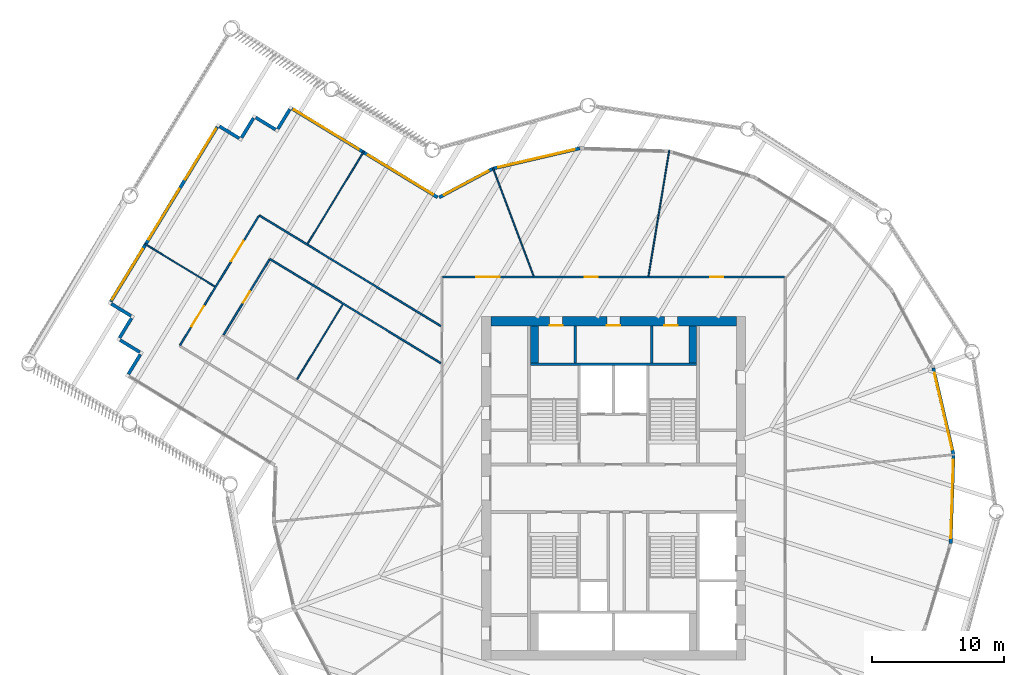
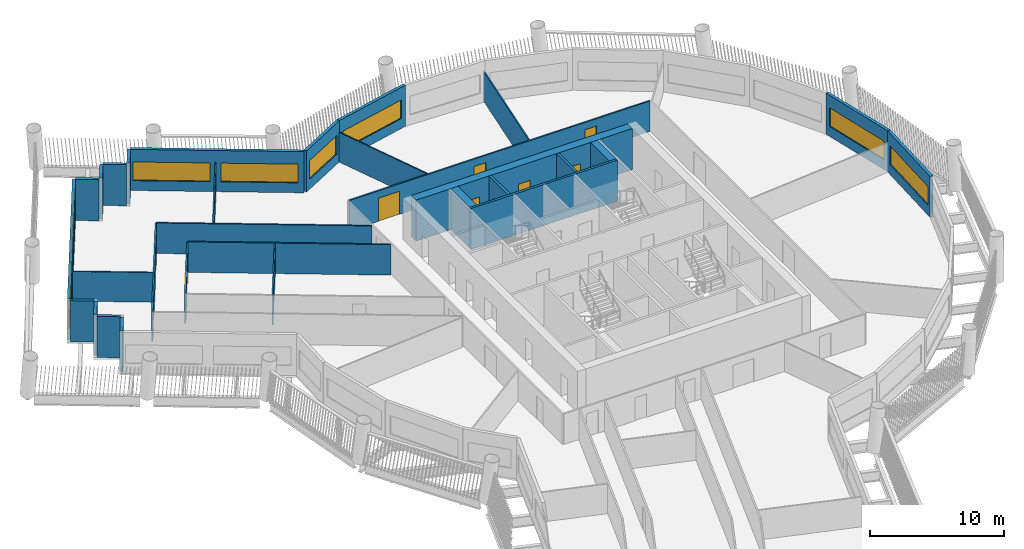
# One storey, part 6 of 15: 30 walls, 9 doors, 9 windows, 18 openings.
"""IFC4 building model written with IfcOpenShell, lengths in metres."""

import ifcopenshell
import ifcopenshell.guid

model = None  # the IFC model being written
_history = None  # IfcOwnerHistory: only IFC2X3 demands one
_inside = {}  # id of a spatial element -> (the spatial element, [elements in it])
_under = {}  # id of a project, library or spatial element -> (it, [spatial elements below it])
_declared = {}  # id of a project -> (the project, [libraries it declares])
_typed = {}  # id of a type object -> (the type object, [elements of that type])
_made_of = {}  # id of a material, layer set ... -> (it, [elements and type objects made of it])


def new_model(schema):
    """Start an empty IFC model of exactly this schema.

    Asked for "IFC4X3", IfcOpenShell would pick the latest addendum, in which some entities
    have other attributes; the version numbers below select the first issue.
    IFC2X3 requires an IfcOwnerHistory on every rooted entity: one is made here for all.
    """
    global model, _history
    if schema == "IFC4X3":
        model = ifcopenshell.file(schema_version=(4, 3, 0, 0))
    else:
        model = ifcopenshell.file(schema=schema)
    _inside.clear()
    _under.clear()
    _declared.clear()
    _typed.clear()
    _made_of.clear()
    _history = None
    if model.schema == "IFC2X3":
        org = make("IfcOrganization", Name="unknown")
        user = make(
            "IfcPersonAndOrganization",
            ThePerson=make("IfcPerson", FamilyName="unknown"),
            TheOrganization=org,
        )
        app = make(
            "IfcApplication",
            ApplicationDeveloper=org,
            Version="unknown",
            ApplicationFullName="unknown",
            ApplicationIdentifier="unknown",
        )
        _history = make(
            "IfcOwnerHistory",
            OwningUser=user,
            OwningApplication=app,
            ChangeAction="ADDED",
            CreationDate=0,
        )
    return model


def make(cls, **values):
    """One entity of the class cls with the attributes given. An attribute that is None is left unset."""
    return model.create_entity(
        cls, **{name: value for name, value in values.items() if value is not None}
    )


def rooted(cls, **values):
    """An entity with a GlobalId (a new one), such as an element, a storey or a relation."""
    return make(cls, GlobalId=ifcopenshell.guid.new(), OwnerHistory=_history, **values)


def si_unit(unit_type, name, prefix=None):
    """IfcSIUnit, for example si_unit("LENGTHUNIT", "METRE", prefix="MILLI")."""
    return make("IfcSIUnit", UnitType=unit_type, Prefix=prefix, Name=name)


def assignment(units):
    """IfcUnitAssignment: the units of a project."""
    return None if units is None else make("IfcUnitAssignment", Units=units)


def point(xyz):
    """IfcCartesianPoint."""
    return None if xyz is None else make("IfcCartesianPoint", Coordinates=xyz)


def direction(xyz):
    """IfcDirection."""
    return None if xyz is None else make("IfcDirection", DirectionRatios=xyz)


def frame(location, z_axis=None, x_axis=None):
    """IfcAxis2Placement3D, a coordinate frame: its origin and axes. An axis left out is left unset."""
    return make(
        "IfcAxis2Placement3D",
        Location=point(location),
        Axis=direction(z_axis),
        RefDirection=direction(x_axis),
    )


def frame_2d(location, x_axis=None):
    """IfcAxis2Placement2D, a coordinate frame in the plane: its origin and x axis."""
    return make(
        "IfcAxis2Placement2D", Location=point(location), RefDirection=direction(x_axis)
    )


def origin():
    """The frame at (0, 0, 0) with its axes left unset."""
    return frame((0.0, 0.0, 0.0))


def place(relative_to, where):
    """IfcLocalPlacement: puts the frame where relative to a parent placement (None: the world)."""
    return make(
        "IfcLocalPlacement", PlacementRelTo=relative_to, RelativePlacement=where
    )


def context(
    kind, dimensions, precision=None, world=None, true_north=None, identifier=None
):
    """IfcGeometricRepresentationContext, for example the 3D "Model" context."""
    return make(
        "IfcGeometricRepresentationContext",
        ContextIdentifier=identifier,
        ContextType=kind,
        CoordinateSpaceDimension=dimensions,
        Precision=precision,
        WorldCoordinateSystem=world,
        TrueNorth=true_north,
    )


def subcontext(parent, identifier, kind, view, scale=None):
    """IfcGeometricRepresentationSubContext, for example "Body" below "Model"."""
    return make(
        "IfcGeometricRepresentationSubContext",
        ContextIdentifier=identifier,
        ContextType=kind,
        ParentContext=parent,
        TargetScale=scale,
        TargetView=view,
    )


def project(units=None, contexts=None):
    """IfcProject with its units and contexts."""
    return rooted(
        "IfcProject",
        Name="project",
        RepresentationContexts=contexts,
        UnitsInContext=assignment(units),
    )


def spatial(cls, under=None, at=None, **own):
    """A site, building, storey or space (cls), placed at a placement, below another one or the project."""
    s = rooted(cls, ObjectPlacement=at, **own)
    if under is not None:
        _under.setdefault(under.id(), (under, []))[1].append(s)
    return s


def profile(cls, at=None, kind="AREA", **sizes):
    """A parametric profile (cls). Its sizes go by their IFC names, for example OverallWidth=200.0."""
    return make(cls, ProfileType=kind, Position=at, **sizes)


def rectangle(**sizes):
    """IfcRectangleProfileDef."""
    return profile("IfcRectangleProfileDef", **sizes)


def extrude(swept, where, along, depth):
    """IfcExtrudedAreaSolid: the profile swept, set in the frame where, extruded along a direction by depth."""
    return make(
        "IfcExtrudedAreaSolid",
        SweptArea=swept,
        Position=where,
        ExtrudedDirection=direction(along),
        Depth=depth,
    )


def shape(context_of_items, identifier, shape_type, items):
    """IfcShapeRepresentation: the items that make up one representation, for example the "Body"."""
    return make(
        "IfcShapeRepresentation",
        ContextOfItems=context_of_items,
        RepresentationIdentifier=identifier,
        RepresentationType=shape_type,
        Items=items,
    )


def material(Name=None, Category=None):
    """IfcMaterial."""
    return make("IfcMaterial", Name=Name, Category=Category)


def layer(
    of_material, thickness, ventilated=None, Name=None, Category=None, Priority=None
):
    """IfcMaterialLayer: one layer of a wall or slab, of a material (None: an air gap)."""
    return make(
        "IfcMaterialLayer",
        Material=of_material,
        LayerThickness=thickness,
        IsVentilated=ventilated,
        Name=Name,
        Category=Category,
        Priority=Priority,
    )


def layer_set(layers, Name=None):
    """IfcMaterialLayerSet."""
    return make("IfcMaterialLayerSet", MaterialLayers=layers, LayerSetName=Name)


def made_of(thing, what):
    """Note that an element or type object is made of a material, layer set ...; save() writes the relation."""
    if what is not None:
        _made_of.setdefault(what.id(), (what, []))[1].append(thing)
    return thing


def type_object(cls, material=None, **own):
    """A type object (cls), such as IfcWallType, which elements share."""
    return made_of(rooted(cls, **own), material)


def element(
    cls,
    number,
    at=None,
    inside=None,
    cuts=None,
    type_object=None,
    material=None,
    context=None,
    identifier="Body",
    shape_type=None,
    held_by="IfcProductDefinitionShape",
    body=None,
    shapes=None,
    **own,
):
    """One element of the class cls, such as IfcWall. Its Tag is "e" and its number.

    at: its placement. inside: the storey or other place that contains it. cuts: it is an
    opening in that element (IfcRelVoidsElement). A single representation is given by context,
    identifier, shape_type and body (its items); several are given by shapes. held_by: the class
    of the entity that holds the representations. save() writes the other relations.
    """
    e = rooted(cls, Tag="e%d" % number, ObjectPlacement=at, **own)
    if body is not None:
        shapes = [shape(context, identifier, shape_type, body)]
    if shapes is not None:
        e.Representation = make(held_by, Representations=shapes)
    if inside is not None:
        _inside.setdefault(inside.id(), (inside, []))[1].append(e)
    if cuts is not None:
        rooted(
            "IfcRelVoidsElement", RelatingBuildingElement=cuts, RelatedOpeningElement=e
        )
    if type_object is not None:
        _typed.setdefault(type_object.id(), (type_object, []))[1].append(e)
    return made_of(e, material)


def fill(opening, filler):
    """IfcRelFillsElement: the door or window that sits in an opening."""
    return rooted(
        "IfcRelFillsElement",
        RelatingOpeningElement=opening,
        RelatedBuildingElement=filler,
    )


def aggregate(whole, parts):
    """IfcRelAggregates: a whole, such as a stair, and the parts it consists of."""
    return rooted("IfcRelAggregates", RelatingObject=whole, RelatedObjects=parts)


def save(model, path):
    """Write the relations noted so far, then the file.

    IfcRelAggregates (storeys below a building ...), IfcRelContainedInSpatialStructure (elements
    in a storey), IfcRelDefinesByType, IfcRelAssociatesMaterial and IfcRelDeclares: one each for
    every whole, place, type object, material and project.
    """
    for whole, parts in _under.values():
        aggregate(whole, parts)
    for where, things in _inside.values():
        rooted(
            "IfcRelContainedInSpatialStructure",
            RelatedElements=things,
            RelatingStructure=where,
        )
    for kind, things in _typed.values():
        rooted("IfcRelDefinesByType", RelatedObjects=things, RelatingType=kind)
    for what, things in _made_of.values():
        rooted("IfcRelAssociatesMaterial", RelatedObjects=things, RelatingMaterial=what)
    for by, libraries in _declared.values():
        rooted("IfcRelDeclares", RelatingContext=by, RelatedDefinitions=libraries)
    model.write(path)


model = new_model("IFC4")

# Units and contexts
model_context = context("Model", 3, precision=1e-05, world=origin(), true_north=direction((0.0, 1.0)))
body_context = subcontext(model_context, "Body", "Model", "MODEL_VIEW")
ifc_project = project(units=[si_unit("LENGTHUNIT", "METRE"), si_unit("AREAUNIT", "SQUARE_METRE"), si_unit("VOLUMEUNIT", "CUBIC_METRE"), si_unit("PLANEANGLEUNIT", "RADIAN"), si_unit("MASSUNIT", "GRAM", prefix="KILO")], contexts=[model_context])

# Site, building, storey
site_placement = place(None, origin())
site = spatial("IfcSite", under=ifc_project, at=site_placement, CompositionType="ELEMENT")
building_placement = place(site_placement, origin())
building = spatial("IfcBuilding", under=site, at=building_placement, Name="Tarsis Ring Headquarters", CompositionType="ELEMENT")
storey_placement = place(building_placement, frame((0.0, 0.0, 151.5)))
storey = spatial("IfcBuildingStorey", under=building, at=storey_placement, Name="L34", CompositionType="ELEMENT", Elevation=151.5)

# Walls
ifc_material_1 = material(Name="Blockwork", Category="masonry")
ifc_layer_1 = layer(ifc_material_1, 0.199951171875)
ifc_layer_set_1 = layer_set([ifc_layer_1], Name="Core blockwork wall 200")
wall_type_1 = type_object("IfcWallType", Name="Core blockwork wall 200", PredefinedType="PARTITIONING", material=ifc_layer_set_1)
for number, where, z_axis, x_axis, name in (
    (1, (-2.89990234375, 9.5, 0.0), (0.0, 0.0, 1.0), (0.0, 1.0, 0.0), "Core partition ND1"),
    (2, (2.89990234375, 9.5, 0.0), (0.0, 0.0, 1.0), (0.0, 1.0, 0.0), "Core partition ND3"),
):
    element("IfcWall", number, at=place(storey_placement, frame(where, z_axis=z_axis, x_axis=x_axis)), inside=storey, type_object=wall_type_1, Name=name, PredefinedType="PARTITIONING", context=body_context, shape_type="SweptSolid", body=[
        extrude(rectangle(XDim=2.800048828125, YDim=0.199951171875, at=frame_2d((1.39990234375, 0.0))), origin(), (0.0, 0.0, 1.0), 3.739990234375),
    ])

# Wall, openings, doors
ifc_material_2 = material(Name="Concrete C60/75", Category="concrete")
ifc_layer_2 = layer(ifc_material_2, 0.699951171875)
ifc_layer_set_2 = layer_set([ifc_layer_2], Name="Core wall 700 C60/75")
wall_type_2 = type_object("IfcWallType", Name="Core wall 700 C60/75", PredefinedType="SHEAR", material=ifc_layer_set_2)
wall_1_placement = place(storey_placement, frame((-9.300048828125, 12.64990234375, 0.0), z_axis=(0.0, 0.0, 1.0), x_axis=(1.0, 0.0, 0.0)))
wall_1 = element("IfcWall", 3, at=wall_1_placement, inside=storey, type_object=wall_type_2, Name="Core wall ON", PredefinedType="SHEAR", context=body_context, shape_type="SweptSolid", body=[
    extrude(rectangle(XDim=18.60009765625, YDim=0.699951171875, at=frame_2d((9.300048828125, 0.0))), origin(), (0.0, 0.0, 1.0), 3.739990234375),
])
opening_1_placement = place(wall_1_placement, frame((4.449951171875, 0.0, 0.0)))
opening_1 = element("IfcOpeningElement", 4, at=opening_1_placement, cuts=wall_1, Name="Opening L34-C14", PredefinedType="OPENING", context=body_context, shape_type="SweptSolid", body=[
    extrude(rectangle(XDim=1.0, YDim=2.10009765625, at=frame_2d((0.5, 1.050048828125))), frame((0.0, 0.35986328125, 0.0), z_axis=(0.0, -1.0, 0.0), x_axis=(1.0, 0.0, 0.0)), (0.0, 0.0, 1.0), 0.719970703125),
])
opening_2_placement = place(wall_1_placement, frame((8.800048828125, 0.0, 0.0)))
opening_2 = element("IfcOpeningElement", 5, at=opening_2_placement, cuts=wall_1, Name="Opening L34-C15", PredefinedType="OPENING", context=body_context, shape_type="SweptSolid", body=[
    extrude(rectangle(XDim=1.0, YDim=2.10009765625, at=frame_2d((0.5, 1.050048828125))), frame((0.0, 0.35986328125, 0.0), z_axis=(0.0, -1.0, 0.0), x_axis=(1.0, 0.0, 0.0)), (0.0, 0.0, 1.0), 0.719970703125),
])
opening_3_placement = place(wall_1_placement, frame((13.14990234375, 0.0, 0.0)))
opening_3 = element("IfcOpeningElement", 6, at=opening_3_placement, cuts=wall_1, Name="Opening L34-C16", PredefinedType="OPENING", context=body_context, shape_type="SweptSolid", body=[
    extrude(rectangle(XDim=1.0, YDim=2.10009765625, at=frame_2d((0.5, 1.050048828125))), frame((0.0, 0.35986328125, 0.0), z_axis=(0.0, -1.0, 0.0), x_axis=(1.0, 0.0, 0.0)), (0.0, 0.0, 1.0), 0.719970703125),
])
ifc_material_3 = material(Name="Steel S355", Category="steel")
door_type_1 = type_object("IfcDoorType", Name="Core room door 1000x2100", OperationType="SINGLE_SWING_LEFT", PredefinedType="DOOR", material=ifc_material_3)
door_1_placement = place(opening_1_placement, origin())
door_1 = element("IfcDoor", 7, at=door_1_placement, inside=storey, type_object=door_type_1, Name="Core room door L34", OperationType="SINGLE_SWING_LEFT", OverallHeight=2.10009765625, OverallWidth=1.0, PredefinedType="DOOR", context=body_context, shape_type="SweptSolid", body=[
    extrude(rectangle(XDim=1.0, YDim=2.10009765625, at=frame_2d((0.5, 1.050048828125))), frame((0.0, -0.2998046875, 0.0), z_axis=(0.0, -1.0, 0.0), x_axis=(1.0, 0.0, 0.0)), (0.0, 0.0, 1.0), 0.050048828125),
])
fill(opening_1, door_1)
door_2_placement = place(opening_2_placement, origin())
door_2 = element("IfcDoor", 8, at=door_2_placement, inside=storey, type_object=door_type_1, Name="Core room door L34", OperationType="SINGLE_SWING_LEFT", OverallHeight=2.10009765625, OverallWidth=1.0, PredefinedType="DOOR", context=body_context, shape_type="SweptSolid", body=[
    extrude(rectangle(XDim=1.0, YDim=2.10009765625, at=frame_2d((0.5, 1.050048828125))), frame((0.0, -0.2998046875, 0.0), z_axis=(0.0, -1.0, 0.0), x_axis=(1.0, 0.0, 0.0)), (0.0, 0.0, 1.0), 0.050048828125),
])
fill(opening_2, door_2)
door_3_placement = place(opening_3_placement, origin())
door_3 = element("IfcDoor", 9, at=door_3_placement, inside=storey, type_object=door_type_1, Name="Core room door L34", OperationType="SINGLE_SWING_LEFT", OverallHeight=2.10009765625, OverallWidth=1.0, PredefinedType="DOOR", context=body_context, shape_type="SweptSolid", body=[
    extrude(rectangle(XDim=1.0, YDim=2.10009765625, at=frame_2d((0.5, 1.050048828125))), frame((0.0, -0.2998046875, 0.0), z_axis=(0.0, -1.0, 0.0), x_axis=(1.0, 0.0, 0.0)), (0.0, 0.0, 1.0), 0.050048828125),
])
fill(opening_3, door_3)

# Walls
ifc_material_4 = material(Name="Gypsum board on steel studs", Category="steel")
ifc_layer_3 = layer(ifc_material_4, 0.10009765625)
ifc_layer_set_3 = layer_set([ifc_layer_3], Name="FL partition 100 unrated")
wall_type_3 = type_object("IfcWallType", Name="FL partition 100 unrated", PredefinedType="PARTITIONING", material=ifc_layer_set_3)
wall_2_placement = place(storey_placement, frame((2.648681640625, 16.069091796875, 0.0), z_axis=(0.0, 0.0, 1.0), x_axis=(0.162653156497, 0.986683308201, 0.0)))
element("IfcWall", 10, at=wall_2_placement, inside=storey, type_object=wall_type_3, Name="Partition PW3", PredefinedType="PARTITIONING", context=body_context, shape_type="SweptSolid", body=[
    extrude(rectangle(XDim=9.661865234375, YDim=0.10009765625, at=frame_2d((4.8310546875, 0.0))), origin(), (0.0, 0.0, 1.0), 2.699951171875),
])
wall_3_placement = place(storey_placement, frame((-9.146484375, 24.2822265625, 0.0), z_axis=(0.0, 0.0, 1.0), x_axis=(0.352505014532, -0.935809924466, 0.0)))
element("IfcWall", 11, at=wall_3_placement, inside=storey, type_object=wall_type_3, Name="Partition PW3", PredefinedType="PARTITIONING", context=body_context, shape_type="SweptSolid", body=[
    extrude(rectangle(XDim=8.770263671875, YDim=0.10009765625, at=frame_2d((4.38525390625, 0.0))), origin(), (0.0, 0.0, 1.0), 2.699951171875),
])
wall_4_placement = place(storey_placement, frame((-23.170654296875, 18.5126953125, 0.0), z_axis=(0.0, 0.0, 1.0), x_axis=(0.520403077946, 0.853920743667, 0.0)))
element("IfcWall", 12, at=wall_4_placement, inside=storey, type_object=wall_type_3, Name="Partition PW3", PredefinedType="PARTITIONING", context=body_context, shape_type="SweptSolid", body=[
    extrude(rectangle(XDim=8.199951171875, YDim=0.10009765625, at=frame_2d((4.10009765625, 0.0))), origin(), (0.0, 0.0, 1.0), 2.699951171875),
])
wall_5_placement = place(storey_placement, frame((-23.96875, 8.248779296875, 0.0), z_axis=(0.0, 0.0, 1.0), x_axis=(0.520420444444, 0.853910159797, 0.0)))
element("IfcWall", 13, at=wall_5_placement, inside=storey, type_object=wall_type_3, Name="Partition PW3", PredefinedType="PARTITIONING", context=body_context, shape_type="SweptSolid", body=[
    extrude(rectangle(XDim=6.639892578125, YDim=0.10009765625, at=frame_2d((3.31982421875, 0.0))), origin(), (0.0, 0.0, 1.0), 2.699951171875),
])
wall_6_placement = place(storey_placement, frame((-35.50341796875, 18.510498046875, 0.0), z_axis=(0.0, 0.0, 1.0), x_axis=(0.853916773861, -0.520409591878, 0.0)))
element("IfcWall", 14, at=wall_6_placement, inside=storey, type_object=wall_type_3, Name="Partition PW3", PredefinedType="PARTITIONING", context=body_context, shape_type="SweptSolid", body=[
    extrude(rectangle(XDim=6.2099609375, YDim=0.10009765625, at=frame_2d((3.10498046875, 0.0))), origin(), (0.0, 0.0, 1.0), 2.699951171875),
])

# Wall, openings, doors
ifc_layer_4 = layer(ifc_material_4, 0.125)
ifc_layer_set_4 = layer_set([ifc_layer_4], Name="FL partition 125 EI 60 H2770")
wall_type_4 = type_object("IfcWallType", Name="FL partition 125 EI 60 H2770", PredefinedType="PARTITIONING", material=ifc_layer_set_4)
wall_7_placement = place(storey_placement, frame((-12.93994140625, 16.0, 0.0), z_axis=(0.0, 0.0, 1.0), x_axis=(1.0, 0.0, 0.0)))
wall_7 = element("IfcWall", 15, at=wall_7_placement, inside=storey, type_object=wall_type_4, Name="Partition PW1", PredefinedType="PARTITIONING", context=body_context, shape_type="SweptSolid", body=[
    extrude(rectangle(XDim=25.8798828125, YDim=0.125, at=frame_2d((12.93994140625, 0.0))), origin(), (0.0, 0.0, 1.0), 2.77001953125),
])
opening_4_placement = place(wall_7_placement, frame((2.526611328125, 0.0, 0.0)))
opening_4 = element("IfcOpeningElement", 16, at=opening_4_placement, cuts=wall_7, Name="Opening D34.03", PredefinedType="OPENING", context=body_context, shape_type="SweptSolid", body=[
    extrude(rectangle(XDim=1.800048828125, YDim=2.10009765625, at=frame_2d((0.89990234375, 1.050048828125))), frame((0.0, 0.072509765625, 0.0), z_axis=(0.0, -1.0, 0.0), x_axis=(1.0, 0.0, 0.0)), (0.0, 0.0, 1.0), 0.14501953125),
])
opening_5_placement = place(wall_7_placement, frame((10.745361328125, 0.0, 0.0)))
opening_5 = element("IfcOpeningElement", 17, at=opening_5_placement, cuts=wall_7, Name="Opening D34.04", PredefinedType="OPENING", context=body_context, shape_type="SweptSolid", body=[
    extrude(rectangle(XDim=1.0, YDim=2.10009765625, at=frame_2d((0.5, 1.050048828125))), frame((0.0, 0.072509765625, 0.0), z_axis=(0.0, -1.0, 0.0), x_axis=(1.0, 0.0, 0.0)), (0.0, 0.0, 1.0), 0.14501953125),
])
opening_6_placement = place(wall_7_placement, frame((20.2587890625, 0.0, 0.0)))
opening_6 = element("IfcOpeningElement", 18, at=opening_6_placement, cuts=wall_7, Name="Opening D34.05", PredefinedType="OPENING", context=body_context, shape_type="SweptSolid", body=[
    extrude(rectangle(XDim=1.0, YDim=2.10009765625, at=frame_2d((0.5, 1.050048828125))), frame((0.0, 0.072509765625, 0.0), z_axis=(0.0, -1.0, 0.0), x_axis=(1.0, 0.0, 0.0)), (0.0, 0.0, 1.0), 0.14501953125),
])
ifc_material_5 = material(Name="Fire-rated timber door leaf in steel frame", Category="steel")
door_type_2 = type_object("IfcDoorType", Name="FL door FD60-1000", OperationType="NOTDEFINED", PredefinedType="DOOR", material=ifc_material_5)
door_4_placement = place(opening_5_placement, origin())
door_4 = element("IfcDoor", 19, at=door_4_placement, inside=storey, type_object=door_type_2, Name="Door D34.04", OperationType="SINGLE_SWING_RIGHT", OverallHeight=2.10009765625, OverallWidth=1.0, PredefinedType="DOOR", context=body_context, shape_type="SweptSolid", body=[
    extrude(rectangle(XDim=1.0, YDim=2.10009765625, at=frame_2d((0.5, 1.050048828125))), frame((0.0, 0.02490234375, 0.0), z_axis=(0.0, -1.0, 0.0), x_axis=(1.0, 0.0, 0.0)), (0.0, 0.0, 1.0), 0.050048828125),
])
fill(opening_5, door_4)
door_5_placement = place(opening_6_placement, origin())
door_5 = element("IfcDoor", 20, at=door_5_placement, inside=storey, type_object=door_type_2, Name="Door D34.05", OperationType="SINGLE_SWING_LEFT", OverallHeight=2.10009765625, OverallWidth=1.0, PredefinedType="DOOR", context=body_context, shape_type="SweptSolid", body=[
    extrude(rectangle(XDim=1.0, YDim=2.10009765625, at=frame_2d((0.5, 1.050048828125))), frame((0.0, 0.02490234375, 0.0), z_axis=(0.0, -1.0, 0.0), x_axis=(1.0, 0.0, 0.0)), (0.0, 0.0, 1.0), 0.050048828125),
])
fill(opening_6, door_5)
door_type_3 = type_object("IfcDoorType", Name="FL door FD60-1800", OperationType="DOUBLE_DOOR_SINGLE_SWING", PredefinedType="DOOR", material=ifc_material_5)
door_6_placement = place(opening_4_placement, origin())
door_6 = element("IfcDoor", 21, at=door_6_placement, inside=storey, type_object=door_type_3, Name="Door D34.03", OperationType="DOUBLE_DOOR_SINGLE_SWING", OverallHeight=2.10009765625, OverallWidth=1.800048828125, PredefinedType="DOOR", context=body_context, shape_type="SweptSolid", body=[
    extrude(rectangle(XDim=1.800048828125, YDim=2.10009765625, at=frame_2d((0.89990234375, 1.050048828125))), frame((0.0, 0.02490234375, 0.0), z_axis=(0.0, -1.0, 0.0), x_axis=(1.0, 0.0, 0.0)), (0.0, 0.0, 1.0), 0.050048828125),
])
fill(opening_4, door_6)

# Walls
wall_8_placement = place(storey_placement, frame((-26.836181640625, 20.664794921875, 0.0), z_axis=(0.0, 0.0, 1.0), x_axis=(0.853912688934, -0.520416294593, 0.0)))
element("IfcWall", 22, at=wall_8_placement, inside=storey, type_object=wall_type_4, Name="Partition PW1", PredefinedType="PARTITIONING", context=body_context, shape_type="SweptSolid", body=[
    extrude(rectangle(XDim=16.103271484375, YDim=0.125, at=frame_2d((8.0517578125, 0.0))), origin(), (0.0, 0.0, 1.0), 2.77001953125),
])
wall_9_placement = place(storey_placement, frame((-26.035888671875, 17.3662109375, 0.0), z_axis=(0.0, 0.0, 1.0), x_axis=(0.853921459012, -0.520401904147, 0.0)))
element("IfcWall", 23, at=wall_9_placement, inside=storey, type_object=wall_type_4, Name="Partition PW1", PredefinedType="PARTITIONING", context=body_context, shape_type="SweptSolid", body=[
    extrude(rectangle(XDim=15.165771484375, YDim=0.125, at=frame_2d((7.5830078125, 0.0))), origin(), (0.0, 0.0, 1.0), 2.77001953125),
])

# Wall, openings, doors
wall_10_placement = place(storey_placement, frame((-32.831298828125, 10.82763671875, 0.0), z_axis=(0.0, 0.0, 1.0), x_axis=(0.520407796011, 0.853917868328, 0.0)))
wall_10 = element("IfcWall", 24, at=wall_10_placement, inside=storey, type_object=wall_type_4, Name="Partition PW1", PredefinedType="PARTITIONING", context=body_context, shape_type="SweptSolid", body=[
    extrude(rectangle(XDim=11.4599609375, YDim=0.125, at=frame_2d((5.72998046875, 0.0))), origin(), (0.0, 0.0, 1.0), 2.77001953125),
])
opening_7_placement = place(wall_10_placement, frame((1.65673828125, 0.0, 0.0)))
opening_7 = element("IfcOpeningElement", 25, at=opening_7_placement, cuts=wall_10, Name="Opening D34.01", PredefinedType="OPENING", context=body_context, shape_type="SweptSolid", body=[
    extrude(rectangle(XDim=1.800048828125, YDim=2.10009765625, at=frame_2d((0.89990234375, 1.050048828125))), frame((0.0, 0.072509765625, 0.0), z_axis=(0.0, -1.0, 0.0), x_axis=(1.0, 0.0, 0.0)), (0.0, 0.0, 1.0), 0.14501953125),
])
opening_8_placement = place(wall_10_placement, frame((7.44677734375, 0.0, 0.0)))
opening_8 = element("IfcOpeningElement", 26, at=opening_8_placement, cuts=wall_10, Name="Opening D34.02", PredefinedType="OPENING", context=body_context, shape_type="SweptSolid", body=[
    extrude(rectangle(XDim=1.800048828125, YDim=2.10009765625, at=frame_2d((0.89990234375, 1.050048828125))), frame((0.0, 0.072509765625, 0.0), z_axis=(0.0, -1.0, 0.0), x_axis=(1.0, 0.0, 0.0)), (0.0, 0.0, 1.0), 0.14501953125),
])
door_7_placement = place(opening_7_placement, origin())
door_7 = element("IfcDoor", 27, at=door_7_placement, inside=storey, type_object=door_type_3, Name="Door D34.01", OperationType="DOUBLE_DOOR_SINGLE_SWING", OverallHeight=2.10009765625, OverallWidth=1.800048828125, PredefinedType="DOOR", context=body_context, shape_type="SweptSolid", body=[
    extrude(rectangle(XDim=1.800048828125, YDim=2.10009765625, at=frame_2d((0.89990234375, 1.050048828125))), frame((0.0, 0.02490234375, 0.0), z_axis=(0.0, -1.0, 0.0), x_axis=(1.0, 0.0, 0.0)), (0.0, 0.0, 1.0), 0.050048828125),
])
fill(opening_7, door_7)
door_8_placement = place(opening_8_placement, origin())
door_8 = element("IfcDoor", 28, at=door_8_placement, inside=storey, type_object=door_type_3, Name="Door D34.02", OperationType="DOUBLE_DOOR_SINGLE_SWING", OverallHeight=2.10009765625, OverallWidth=1.800048828125, PredefinedType="DOOR", context=body_context, shape_type="SweptSolid", body=[
    extrude(rectangle(XDim=1.800048828125, YDim=2.10009765625, at=frame_2d((0.89990234375, 1.050048828125))), frame((0.0, 0.02490234375, 0.0), z_axis=(0.0, -1.0, 0.0), x_axis=(1.0, 0.0, 0.0)), (0.0, 0.0, 1.0), 0.050048828125),
])
fill(opening_8, door_8)

# Wall, opening, door
wall_11_placement = place(storey_placement, frame((-29.532958984375, 11.6279296875, 0.0), z_axis=(0.0, 0.0, 1.0), x_axis=(0.520413191429, 0.853914580146, 0.0)))
wall_11 = element("IfcWall", 29, at=wall_11_placement, inside=storey, type_object=wall_type_4, Name="Partition PW1", PredefinedType="PARTITIONING", context=body_context, shape_type="SweptSolid", body=[
    extrude(rectangle(XDim=6.66015625, YDim=0.125, at=frame_2d((3.330078125, 0.0))), origin(), (0.0, 0.0, 1.0), 2.77001953125),
])
opening_9_placement = place(wall_11_placement, frame((2.830078125, 0.0, 0.0)))
opening_9 = element("IfcOpeningElement", 30, at=opening_9_placement, cuts=wall_11, Name="Opening D34.15", PredefinedType="OPENING", context=body_context, shape_type="SweptSolid", body=[
    extrude(rectangle(XDim=1.0, YDim=2.10009765625, at=frame_2d((0.5, 1.050048828125))), frame((0.0, 0.072509765625, 0.0), z_axis=(0.0, -1.0, 0.0), x_axis=(1.0, 0.0, 0.0)), (0.0, 0.0, 1.0), 0.14501953125),
])
door_9_placement = place(opening_9_placement, origin())
door_9 = element("IfcDoor", 31, at=door_9_placement, inside=storey, type_object=door_type_2, Name="Door D34.15", OperationType="SINGLE_SWING_LEFT", OverallHeight=2.10009765625, OverallWidth=1.0, PredefinedType="DOOR", context=body_context, shape_type="SweptSolid", body=[
    extrude(rectangle(XDim=1.0, YDim=2.10009765625, at=frame_2d((0.5, 1.050048828125))), frame((0.0, 0.02490234375, 0.0), z_axis=(0.0, -1.0, 0.0), x_axis=(1.0, 0.0, 0.0)), (0.0, 0.0, 1.0), 0.050048828125),
])
fill(opening_9, door_9)

# Wall, opening, window
ifc_material_6 = material(Name="Terracotta clad insulated panel wall", Category="masonry")
ifc_layer_5 = layer(ifc_material_6, 0.25)
ifc_layer_set_5 = layer_set([ifc_layer_5], Name="Facade wall terracotta panel 250")
wall_type_5 = type_object("IfcWallType", Name="Facade wall terracotta panel 250", PredefinedType="STANDARD", material=ifc_layer_set_5)
wall_12_placement = place(storey_placement, frame((25.530029296875, -4.191650390625, 0.0), z_axis=(0.0, 0.0, 1.0), x_axis=(0.032435589935, 0.999473827824, 0.0)))
wall_12 = element("IfcWall", 32, at=wall_12_placement, inside=storey, type_object=wall_type_5, Name="External wall L34-22", PredefinedType="STANDARD", context=body_context, shape_type="SweptSolid", body=[
    extrude(rectangle(XDim=6.721435546875, YDim=0.25, at=frame_2d((3.36083984375, 0.0))), origin(), (0.0, 0.0, 1.0), 3.739990234375),
])
opening_10_placement = place(wall_12_placement, frame((0.3857421875, 0.0, 0.89990234375)))
opening_10 = element("IfcOpeningElement", 33, at=opening_10_placement, cuts=wall_12, Name="Opening WN07", PredefinedType="OPENING", context=body_context, shape_type="SweptSolid", body=[
    extrude(rectangle(XDim=5.949951171875, YDim=1.699951171875, at=frame_2d((2.97509765625, 0.85009765625))), frame((0.0, 0.135009765625, 0.0), z_axis=(0.0, -1.0, 0.0), x_axis=(1.0, 0.0, 0.0)), (0.0, 0.0, 1.0), 0.27001953125),
])
ifc_material_7 = material(Name="Aluminium framed double glazing", Category="aluminium")
window_type_1 = type_object("IfcWindowType", Name="Facade window 5950 x 1700", PartitioningType="SINGLE_PANEL", PredefinedType="WINDOW", material=ifc_material_7)
window_1_placement = place(opening_10_placement, origin())
window_1 = element("IfcWindow", 34, at=window_1_placement, inside=storey, type_object=window_type_1, Name="Window L34-22.1", OverallHeight=1.699951171875, OverallWidth=5.949951171875, PartitioningType="SINGLE_PANEL", PredefinedType="WINDOW", context=body_context, shape_type="SweptSolid", body=[
    extrude(rectangle(XDim=5.949951171875, YDim=1.699951171875, at=frame_2d((2.97509765625, 0.85009765625))), frame((0.0, 0.030029296875, 0.0), z_axis=(0.0, -1.0, 0.0), x_axis=(1.0, 0.0, 0.0)), (0.0, 0.0, 1.0), 0.06005859375),
])
fill(opening_10, window_1)

wall_13_placement = place(storey_placement, frame((25.744873046875, 2.558837890625, 0.0), z_axis=(0.0, 0.0, 1.0), x_axis=(-0.227336397214, 0.97381628786, 0.0)))
wall_13 = element("IfcWall", 35, at=wall_13_placement, inside=storey, type_object=wall_type_5, Name="External wall L34-23", PredefinedType="STANDARD", context=body_context, shape_type="SweptSolid", body=[
    extrude(rectangle(XDim=6.7216796875, YDim=0.25, at=frame_2d((3.36083984375, 0.0))), origin(), (0.0, 0.0, 1.0), 3.739990234375),
])
opening_11_placement = place(wall_13_placement, frame((0.3857421875, 0.0, 0.89990234375)))
opening_11 = element("IfcOpeningElement", 36, at=opening_11_placement, cuts=wall_13, Name="Opening WN07", PredefinedType="OPENING", context=body_context, shape_type="SweptSolid", body=[
    extrude(rectangle(XDim=5.949951171875, YDim=1.699951171875, at=frame_2d((2.97509765625, 0.85009765625))), frame((0.0, 0.135009765625, 0.0), z_axis=(0.0, -1.0, 0.0), x_axis=(1.0, 0.0, 0.0)), (0.0, 0.0, 1.0), 0.27001953125),
])
window_2_placement = place(opening_11_placement, origin())
window_2 = element("IfcWindow", 37, at=window_2_placement, inside=storey, type_object=window_type_1, Name="Window L34-23.1", OverallHeight=1.699951171875, OverallWidth=5.949951171875, PartitioningType="SINGLE_PANEL", PredefinedType="WINDOW", context=body_context, shape_type="SweptSolid", body=[
    extrude(rectangle(XDim=5.949951171875, YDim=1.699951171875, at=frame_2d((2.97509765625, 0.85009765625))), frame((0.0, 0.030029296875, 0.0), z_axis=(0.0, -1.0, 0.0), x_axis=(1.0, 0.0, 0.0)), (0.0, 0.0, 1.0), 0.06005859375),
])
fill(opening_11, window_2)

wall_14_placement = place(storey_placement, frame((-2.558837890625, 25.744873046875, 0.0), z_axis=(0.0, 0.0, 1.0), x_axis=(-0.97381628786, -0.227336397214, 0.0)))
wall_14 = element("IfcWall", 38, at=wall_14_placement, inside=storey, type_object=wall_type_5, Name="External wall L34-29", PredefinedType="STANDARD", context=body_context, shape_type="SweptSolid", body=[
    extrude(rectangle(XDim=6.7216796875, YDim=0.25, at=frame_2d((3.36083984375, 0.0))), origin(), (0.0, 0.0, 1.0), 3.739990234375),
])
opening_12_placement = place(wall_14_placement, frame((0.3857421875, 0.0, 0.89990234375)))
opening_12 = element("IfcOpeningElement", 39, at=opening_12_placement, cuts=wall_14, Name="Opening WN07", PredefinedType="OPENING", context=body_context, shape_type="SweptSolid", body=[
    extrude(rectangle(XDim=5.949951171875, YDim=1.699951171875, at=frame_2d((2.97509765625, 0.85009765625))), frame((0.0, 0.135009765625, 0.0), z_axis=(0.0, -1.0, 0.0), x_axis=(1.0, 0.0, 0.0)), (0.0, 0.0, 1.0), 0.27001953125),
])
window_3_placement = place(opening_12_placement, origin())
window_3 = element("IfcWindow", 40, at=window_3_placement, inside=storey, type_object=window_type_1, Name="Window L34-29.1", OverallHeight=1.699951171875, OverallWidth=5.949951171875, PartitioningType="SINGLE_PANEL", PredefinedType="WINDOW", context=body_context, shape_type="SweptSolid", body=[
    extrude(rectangle(XDim=5.949951171875, YDim=1.699951171875, at=frame_2d((2.97509765625, 0.85009765625))), frame((0.0, 0.030029296875, 0.0), z_axis=(0.0, -1.0, 0.0), x_axis=(1.0, 0.0, 0.0)), (0.0, 0.0, 1.0), 0.06005859375),
])
fill(opening_12, window_3)

wall_15_placement = place(storey_placement, frame((-9.135009765625, 24.205322265625, 0.0), z_axis=(0.0, 0.0, 1.0), x_axis=(-0.88181378751, -0.471597756735, 0.0)))
wall_15 = element("IfcWall", 41, at=wall_15_placement, inside=storey, type_object=wall_type_5, Name="External wall L34-30", PredefinedType="STANDARD", context=body_context, shape_type="SweptSolid", body=[
    extrude(rectangle(XDim=4.61767578125, YDim=0.25, at=frame_2d((2.308837890625, 0.0))), origin(), (0.0, 0.0, 1.0), 3.739990234375),
])
opening_13_placement = place(wall_15_placement, frame((0.367431640625, 0.0, 0.89990234375)))
opening_13 = element("IfcOpeningElement", 42, at=opening_13_placement, cuts=wall_15, Name="Opening WN02", PredefinedType="OPENING", context=body_context, shape_type="SweptSolid", body=[
    extrude(rectangle(XDim=3.85009765625, YDim=1.699951171875, at=frame_2d((1.925048828125, 0.85009765625))), frame((0.0, 0.135009765625, 0.0), z_axis=(0.0, -1.0, 0.0), x_axis=(1.0, 0.0, 0.0)), (0.0, 0.0, 1.0), 0.27001953125),
])
window_type_2 = type_object("IfcWindowType", Name="Facade window 3850 x 1700", PartitioningType="SINGLE_PANEL", PredefinedType="WINDOW", material=ifc_material_7)
window_4_placement = place(opening_13_placement, origin())
window_4 = element("IfcWindow", 43, at=window_4_placement, inside=storey, type_object=window_type_2, Name="Window L34-30.1", OverallHeight=1.699951171875, OverallWidth=3.85009765625, PartitioningType="SINGLE_PANEL", PredefinedType="WINDOW", context=body_context, shape_type="SweptSolid", body=[
    extrude(rectangle(XDim=3.85009765625, YDim=1.699951171875, at=frame_2d((1.925048828125, 0.85009765625))), frame((0.0, 0.030029296875, 0.0), z_axis=(0.0, -1.0, 0.0), x_axis=(1.0, 0.0, 0.0)), (0.0, 0.0, 1.0), 0.06005859375),
])
fill(opening_13, window_4)

# Wall, openings, windows
wall_16_placement = place(storey_placement, frame((-13.330810546875, 22.031005859375, 0.0), z_axis=(0.0, 0.0, 1.0), x_axis=(-0.853910837657, 0.520419332205, 0.0)))
wall_16 = element("IfcWall", 44, at=wall_16_placement, inside=storey, type_object=wall_type_5, Name="External wall L34-31", PredefinedType="STANDARD", context=body_context, shape_type="SweptSolid", body=[
    extrude(rectangle(XDim=12.9013671875, YDim=0.25, at=frame_2d((6.45068359375, 0.0))), origin(), (0.0, 0.0, 1.0), 3.739990234375),
])
opening_14_placement = place(wall_16_placement, frame((0.412841796875, 0.0, 0.89990234375)))
opening_14 = element("IfcOpeningElement", 45, at=opening_14_placement, cuts=wall_16, Name="Opening WN06", PredefinedType="OPENING", context=body_context, shape_type="SweptSolid", body=[
    extrude(rectangle(XDim=5.75, YDim=1.699951171875, at=frame_2d((2.875, 0.85009765625))), frame((0.0, 0.135009765625, 0.0), z_axis=(0.0, -1.0, 0.0), x_axis=(1.0, 0.0, 0.0)), (0.0, 0.0, 1.0), 0.27001953125),
])
opening_15_placement = place(wall_16_placement, frame((6.988525390625, 0.0, 0.89990234375)))
opening_15 = element("IfcOpeningElement", 46, at=opening_15_placement, cuts=wall_16, Name="Opening WN06", PredefinedType="OPENING", context=body_context, shape_type="SweptSolid", body=[
    extrude(rectangle(XDim=5.75, YDim=1.699951171875, at=frame_2d((2.875, 0.85009765625))), frame((0.0, 0.135009765625, 0.0), z_axis=(0.0, -1.0, 0.0), x_axis=(1.0, 0.0, 0.0)), (0.0, 0.0, 1.0), 0.27001953125),
])
window_type_3 = type_object("IfcWindowType", Name="Facade window 5750 x 1700", PartitioningType="SINGLE_PANEL", PredefinedType="WINDOW", material=ifc_material_7)
window_5_placement = place(opening_14_placement, origin())
window_5 = element("IfcWindow", 47, at=window_5_placement, inside=storey, type_object=window_type_3, Name="Window L34-31.1", OverallHeight=1.699951171875, OverallWidth=5.75, PartitioningType="SINGLE_PANEL", PredefinedType="WINDOW", context=body_context, shape_type="SweptSolid", body=[
    extrude(rectangle(XDim=5.75, YDim=1.699951171875, at=frame_2d((2.875, 0.85009765625))), frame((0.0, 0.030029296875, 0.0), z_axis=(0.0, -1.0, 0.0), x_axis=(1.0, 0.0, 0.0)), (0.0, 0.0, 1.0), 0.06005859375),
])
fill(opening_14, window_5)
window_6_placement = place(opening_15_placement, origin())
window_6 = element("IfcWindow", 48, at=window_6_placement, inside=storey, type_object=window_type_3, Name="Window L34-31.2", OverallHeight=1.699951171875, OverallWidth=5.75, PartitioningType="SINGLE_PANEL", PredefinedType="WINDOW", context=body_context, shape_type="SweptSolid", body=[
    extrude(rectangle(XDim=5.75, YDim=1.699951171875, at=frame_2d((2.875, 0.85009765625))), frame((0.0, 0.030029296875, 0.0), z_axis=(0.0, -1.0, 0.0), x_axis=(1.0, 0.0, 0.0)), (0.0, 0.0, 1.0), 0.06005859375),
])
fill(opening_15, window_6)

# Walls
for number, where, z_axis, x_axis, name in (
    (49, (-24.519287109375, 28.703369140625, 0.0), (0.0, 0.0, 1.0), (-0.520371762247, -0.853939827538, 0.0), "External wall L34-32"),
    (50, (-25.601806640625, 27.167236328125, 0.0), (0.0, 0.0, 1.0), (-0.853877832519, 0.520473483602, 0.0), "External wall L34-33"),
    (51, (-27.26806640625, 28.036376953125, 0.0), (0.0, 0.0, 1.0), (-0.520371762247, -0.853939827538, 0.0), "External wall L34-34"),
    (52, (-28.3505859375, 26.500244140625, 0.0), (0.0, 0.0, 1.0), (-0.853840036315, 0.520535486192, 0.0), "External wall L34-35"),
):
    element("IfcWall", number, at=place(storey_placement, frame(where, z_axis=z_axis, x_axis=x_axis)), inside=storey, type_object=wall_type_5, Name=name, PredefinedType="STANDARD", context=body_context, shape_type="SweptSolid", body=[
        extrude(rectangle(XDim=1.75, YDim=0.25, at=frame_2d((0.875, 0.0))), origin(), (0.0, 0.0, 1.0), 3.739990234375),
    ])

# Wall, openings, windows
wall_17_placement = place(storey_placement, frame((-30.0166015625, 27.369384765625, 0.0), z_axis=(0.0, 0.0, 1.0), x_axis=(-0.520408577676, -0.853917391954, 0.0)))
wall_17 = element("IfcWall", 53, at=wall_17_placement, inside=storey, type_object=wall_type_5, Name="External wall L34-36", PredefinedType="STANDARD", context=body_context, shape_type="SweptSolid", body=[
    extrude(rectangle(XDim=15.500244140625, YDim=0.25, at=frame_2d((7.75, 0.0))), origin(), (0.0, 0.0, 1.0), 3.739990234375),
])
opening_16_placement = place(wall_17_placement, frame((0.166748046875, 0.0, 0.89990234375)))
opening_16 = element("IfcOpeningElement", 54, at=opening_16_placement, cuts=wall_17, Name="Opening WN04", PredefinedType="OPENING", context=body_context, shape_type="SweptSolid", body=[
    extrude(rectangle(XDim=4.5, YDim=1.699951171875, at=frame_2d((2.25, 0.85009765625))), frame((0.0, 0.135009765625, 0.0), z_axis=(0.0, -1.0, 0.0), x_axis=(1.0, 0.0, 0.0)), (0.0, 0.0, 1.0), 0.27001953125),
])
opening_17_placement = place(wall_17_placement, frame((5.5, 0.0, 0.89990234375)))
opening_17 = element("IfcOpeningElement", 55, at=opening_17_placement, cuts=wall_17, Name="Opening WN04", PredefinedType="OPENING", context=body_context, shape_type="SweptSolid", body=[
    extrude(rectangle(XDim=4.5, YDim=1.699951171875, at=frame_2d((2.25, 0.85009765625))), frame((0.0, 0.135009765625, 0.0), z_axis=(0.0, -1.0, 0.0), x_axis=(1.0, 0.0, 0.0)), (0.0, 0.0, 1.0), 0.27001953125),
])
opening_18_placement = place(wall_17_placement, frame((10.833251953125, 0.0, 0.89990234375)))
opening_18 = element("IfcOpeningElement", 56, at=opening_18_placement, cuts=wall_17, Name="Opening WN04", PredefinedType="OPENING", context=body_context, shape_type="SweptSolid", body=[
    extrude(rectangle(XDim=4.5, YDim=1.699951171875, at=frame_2d((2.25, 0.85009765625))), frame((0.0, 0.135009765625, 0.0), z_axis=(0.0, -1.0, 0.0), x_axis=(1.0, 0.0, 0.0)), (0.0, 0.0, 1.0), 0.27001953125),
])
window_type_4 = type_object("IfcWindowType", Name="Facade window 4500 x 1700", PartitioningType="SINGLE_PANEL", PredefinedType="WINDOW", material=ifc_material_7)
window_7_placement = place(opening_16_placement, origin())
window_7 = element("IfcWindow", 57, at=window_7_placement, inside=storey, type_object=window_type_4, Name="Window L34-36.1", OverallHeight=1.699951171875, OverallWidth=4.5, PartitioningType="SINGLE_PANEL", PredefinedType="WINDOW", context=body_context, shape_type="SweptSolid", body=[
    extrude(rectangle(XDim=4.5, YDim=1.699951171875, at=frame_2d((2.25, 0.85009765625))), frame((0.0, 0.030029296875, 0.0), z_axis=(0.0, -1.0, 0.0), x_axis=(1.0, 0.0, 0.0)), (0.0, 0.0, 1.0), 0.06005859375),
])
fill(opening_16, window_7)
window_8_placement = place(opening_17_placement, origin())
window_8 = element("IfcWindow", 58, at=window_8_placement, inside=storey, type_object=window_type_4, Name="Window L34-36.2", OverallHeight=1.699951171875, OverallWidth=4.5, PartitioningType="SINGLE_PANEL", PredefinedType="WINDOW", context=body_context, shape_type="SweptSolid", body=[
    extrude(rectangle(XDim=4.5, YDim=1.699951171875, at=frame_2d((2.25, 0.85009765625))), frame((0.0, 0.030029296875, 0.0), z_axis=(0.0, -1.0, 0.0), x_axis=(1.0, 0.0, 0.0)), (0.0, 0.0, 1.0), 0.06005859375),
])
fill(opening_17, window_8)
window_9_placement = place(opening_18_placement, origin())
window_9 = element("IfcWindow", 59, at=window_9_placement, inside=storey, type_object=window_type_4, Name="Window L34-36.3", OverallHeight=1.699951171875, OverallWidth=4.5, PartitioningType="SINGLE_PANEL", PredefinedType="WINDOW", context=body_context, shape_type="SweptSolid", body=[
    extrude(rectangle(XDim=4.5, YDim=1.699951171875, at=frame_2d((2.25, 0.85009765625))), frame((0.0, 0.030029296875, 0.0), z_axis=(0.0, -1.0, 0.0), x_axis=(1.0, 0.0, 0.0)), (0.0, 0.0, 1.0), 0.06005859375),
])
fill(opening_18, window_9)

# Walls
for number, where, z_axis, x_axis, name in (
    (60, (-38.041259765625, 13.9619140625, 0.0), (0.0, 0.0, 1.0), (0.853840036315, -0.520535486192, 0.0), "External wall L34-37"),
    (61, (-36.50537109375, 12.87939453125, 0.0), (0.0, 0.0, 1.0), (-0.520371762247, -0.853939827538, 0.0), "External wall L34-38"),
    (62, (-37.374267578125, 11.213134765625, 0.0), (0.0, 0.0, 1.0), (0.853939827538, -0.520371762247, 0.0), "External wall L34-39"),
    (63, (-35.83837890625, 10.130615234375, 0.0), (0.0, 0.0, 1.0), (-0.520371762247, -0.853939827538, 0.0), "External wall L34-40"),
):
    element("IfcWall", number, at=place(storey_placement, frame(where, z_axis=z_axis, x_axis=x_axis)), inside=storey, type_object=wall_type_5, Name=name, PredefinedType="STANDARD", context=body_context, shape_type="SweptSolid", body=[
        extrude(rectangle(XDim=1.75, YDim=0.25, at=frame_2d((0.875, 0.0))), origin(), (0.0, 0.0, 1.0), 3.739990234375),
    ])
ifc_material_8 = material(Name="Concrete C32/40", Category="concrete")
ifc_layer_6 = layer(ifc_material_8, 0.60009765625)
ifc_layer_set_6 = layer_set([ifc_layer_6], Name="Shaft end wall 600 C32/40")
wall_type_6 = type_object("IfcWallType", Name="Shaft end wall 600 C32/40", PredefinedType="SOLIDWALL", material=ifc_layer_set_6)
for number, where, z_axis, x_axis, name in (
    (64, (-6.0, 9.5, 0.0), (0.0, 0.0, 1.0), (0.0, 1.0, 0.0), "Core shaft wall NNE1"),
    (65, (6.0, 9.5, 0.0), (0.0, 0.0, 1.0), (0.0, 1.0, 0.0), "Core shaft wall NNE2"),
):
    element("IfcWall", number, at=place(storey_placement, frame(where, z_axis=z_axis, x_axis=x_axis)), inside=storey, type_object=wall_type_6, Name=name, PredefinedType="SOLIDWALL", context=body_context, shape_type="SweptSolid", body=[
        extrude(rectangle(XDim=2.800048828125, YDim=0.60009765625, at=frame_2d((1.39990234375, 0.0))), origin(), (0.0, 0.0, 1.0), 3.739990234375),
    ])
ifc_layer_7 = layer(ifc_material_8, 0.199951171875)
ifc_layer_set_7 = layer_set([ifc_layer_7], Name="Shaft wall 200 C32/40")
wall_type_7 = type_object("IfcWallType", Name="Shaft wall 200 C32/40", PredefinedType="SOLIDWALL", material=ifc_layer_set_7)
wall_18_placement = place(storey_placement, frame((-6.300048828125, 9.39990234375, 0.0), z_axis=(0.0, 0.0, 1.0), x_axis=(1.0, 0.0, 0.0)))
element("IfcWall", 66, at=wall_18_placement, inside=storey, type_object=wall_type_7, Name="Core shaft wall NB", PredefinedType="SOLIDWALL", context=body_context, shape_type="SweptSolid", body=[
    extrude(rectangle(XDim=12.60009765625, YDim=0.199951171875, at=frame_2d((6.300048828125, 0.0))), origin(), (0.0, 0.0, 1.0), 3.739990234375),
])

save(model, "model.ifc")
